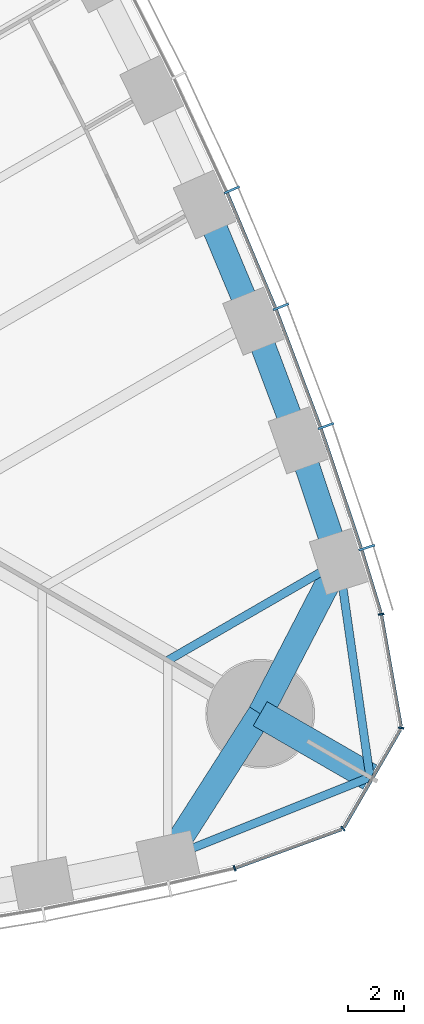
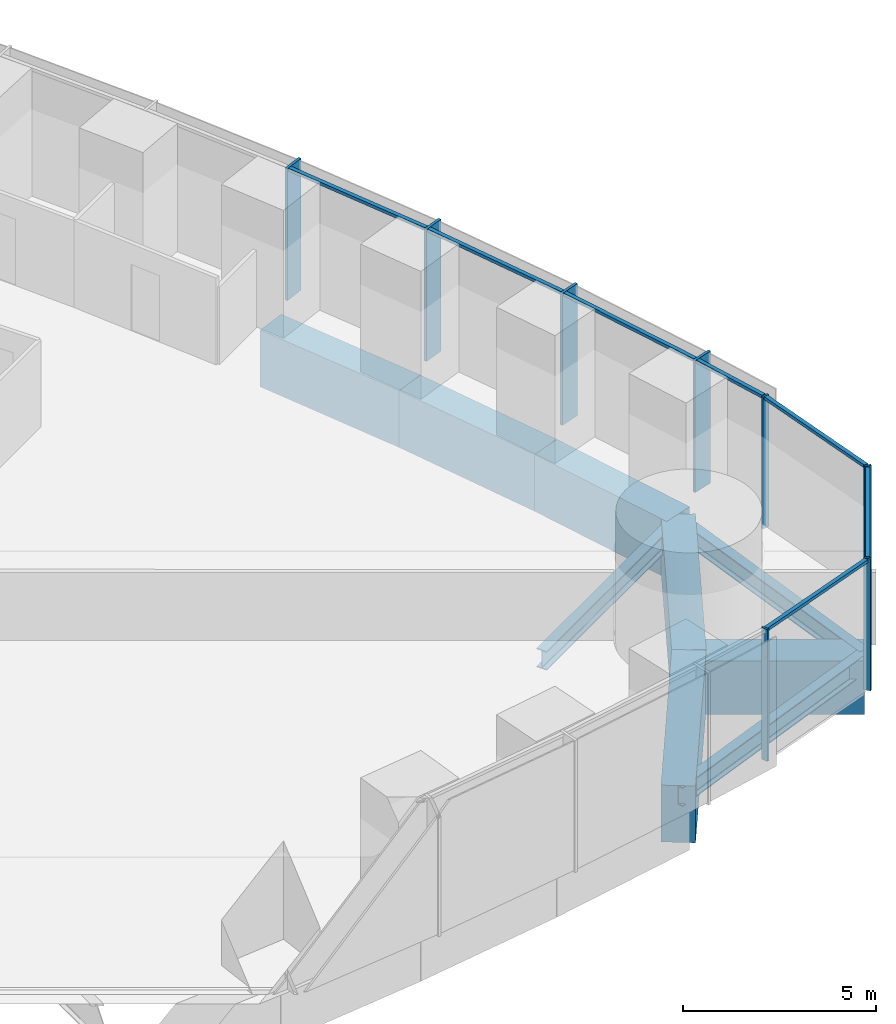
# One storey, part 7 of 18: 15 members, 9 beams, 2 elements without a shape of their own.
"""IFC4 building model written with IfcOpenShell, lengths in metres."""

from ifc_helpers import new_model, si_unit, direction, frame, origin, origin_2d, place, context, subcontext, project, spatial, rectangle, i_section, extrude, material, material_profile, profile_set, type_object, element, aggregate, save


model = new_model("IFC4")

# Units and contexts
model_context = context("Model", 3, precision=1e-05, world=origin(), true_north=direction((0.0, 1.0)))
body_context = subcontext(model_context, "Body", "Model", "MODEL_VIEW")
ifc_project = project(units=[si_unit("LENGTHUNIT", "METRE"), si_unit("AREAUNIT", "SQUARE_METRE"), si_unit("VOLUMEUNIT", "CUBIC_METRE"), si_unit("PLANEANGLEUNIT", "RADIAN"), si_unit("MASSUNIT", "GRAM", prefix="KILO")], contexts=[model_context])

# Site, building, storey
site_placement = place(None, origin())
site = spatial("IfcSite", under=ifc_project, at=site_placement, CompositionType="ELEMENT")
building_placement = place(site_placement, origin())
building = spatial("IfcBuilding", under=site, at=building_placement, Name="Trefoil Bronze Tower", CompositionType="ELEMENT")
storey_placement = place(building_placement, frame((0.0, 0.0, 157.699951171875)))
storey = spatial("IfcBuildingStorey", under=building, at=storey_placement, Name="L36", CompositionType="ELEMENT", Elevation=157.699951171875)

# Curtain wall, members
ifc_material_1 = material(Name="Tinted solar-control glass", Category="glass")
curtain_wall_type_1 = type_object("IfcCurtainWallType", Name="Bronze office curtain wall", PredefinedType="USERDEFINED", material=ifc_material_1)
curtain_wall_1_placement = place(storey_placement, origin())
curtain_wall_1 = element("IfcCurtainWall", 1, at=curtain_wall_1_placement, inside=storey, type_object=curtain_wall_type_1, Name="CW-A L36 F2", ObjectType="CURTAIN WALL", PredefinedType="USERDEFINED")
ifc_material_2 = material(Name="Bronze-finish aluminium", Category="aluminium")
ifc_material_profile_1 = material_profile(ifc_material_2, rectangle(XDim=0.60009765625, YDim=0.080078125, at=origin_2d()), Name="CW-A mullion")
ifc_profile_set_1 = profile_set([ifc_material_profile_1], Name="Bronze-finish aluminium")
member_type_1 = type_object("IfcMemberType", Name="Bronze office curtain wall mullion", PredefinedType="MULLION", material=ifc_profile_set_1)
member_1_placement = place(storey_placement, frame((34.1337890625, -11.543212890625, 0.0), z_axis=(0.0, 0.0, 1.0), x_axis=(-0.952331125357, -0.30506626768, 0.0)))
member_1 = element("IfcMember", 2, at=member_1_placement, type_object=member_type_1, Name="CW-A L36 F2 mullion 2", PredefinedType="MULLION", context=body_context, shape_type="SweptSolid", body=[
    extrude(rectangle(XDim=0.60009765625, YDim=0.080078125, at=origin_2d()), origin(), (0.0, 0.0, 1.0), 4.179931640625),
])
member_2_placement = place(storey_placement, frame((32.668701171875, -7.181884765625, 0.0), z_axis=(0.0, 0.0, 1.0), x_axis=(-0.94196250502, -0.335718094742, 0.0)))
member_2 = element("IfcMember", 3, at=member_2_placement, type_object=member_type_1, Name="CW-A L36 F2 mullion 3", PredefinedType="MULLION", context=body_context, shape_type="SweptSolid", body=[
    extrude(rectangle(XDim=0.60009765625, YDim=0.080078125, at=origin_2d()), origin(), (0.0, 0.0, 1.0), 4.179931640625),
])
member_3_placement = place(storey_placement, frame((31.055419921875, -2.90478515625, 0.0), z_axis=(0.0, 0.0, 1.0), x_axis=(-0.929071242848, -0.369900832269, 0.0)))
member_3 = element("IfcMember", 4, at=member_3_placement, type_object=member_type_1, Name="CW-A L36 F2 mullion 4", PredefinedType="MULLION", context=body_context, shape_type="SweptSolid", body=[
    extrude(rectangle(XDim=0.60009765625, YDim=0.080078125, at=origin_2d()), origin(), (0.0, 0.0, 1.0), 4.179931640625),
])
member_4_placement = place(storey_placement, frame((29.296875, 1.28857421875, 0.0), z_axis=(0.0, 0.0, 1.0), x_axis=(-0.915018269914, -0.40341240155, 0.0)))
member_4 = element("IfcMember", 5, at=member_4_placement, type_object=member_type_1, Name="CW-A L36 F2 mullion 5", PredefinedType="MULLION", context=body_context, shape_type="SweptSolid", body=[
    extrude(rectangle(XDim=0.60009765625, YDim=0.080078125, at=origin_2d()), origin(), (0.0, 0.0, 1.0), 4.179931640625),
])
ifc_material_3 = material(Name="Bronze-finish aluminium", Category="aluminium")
ifc_material_profile_2 = material_profile(ifc_material_3, rectangle(XDim=0.1201171875, YDim=0.10009765625, at=origin_2d()), Name="CW-A transom")
ifc_profile_set_2 = profile_set([ifc_material_profile_2], Name="Bronze-finish aluminium")
member_type_2 = type_object("IfcMemberType", Name="Bronze office curtain wall transom", PredefinedType="USERDEFINED", material=ifc_profile_set_2)
member_5_placement = place(storey_placement, frame((34.637939453125, -13.88232421875, 4.130126953125), z_axis=(-0.291680468798, 0.956515814883, 0.0), x_axis=(-0.956515814883, -0.291680468798, 0.0)))
member_5 = element("IfcMember", 6, at=member_5_placement, type_object=member_type_2, Name="CW-A L36 F2 transom 1", ObjectType="TRANSOM", PredefinedType="USERDEFINED", context=body_context, shape_type="SweptSolid", body=[
    extrude(rectangle(XDim=0.1201171875, YDim=0.10009765625, at=origin_2d()), origin(), (0.0, 0.0, 1.0), 2.34033203125),
])
member_6_placement = place(storey_placement, frame((33.929931640625, -11.56494140625, 4.130126953125), z_axis=(-0.318386323729, 0.947961048178, 0.0), x_axis=(-0.947961048178, -0.318386323729, 0.0)))
member_6 = element("IfcMember", 7, at=member_6_placement, type_object=member_type_2, Name="CW-A L36 F2 transom 2", ObjectType="TRANSOM", PredefinedType="USERDEFINED", context=body_context, shape_type="SweptSolid", body=[
    extrude(rectangle(XDim=0.1201171875, YDim=0.10009765625, at=origin_2d()), origin(), (0.0, 0.0, 1.0), 4.51123046875),
])
member_7_placement = place(storey_placement, frame((32.465576171875, -7.2099609375, 4.130126953125), z_axis=(-0.352932154759, 0.935648916067, 0.0), x_axis=(-0.935648916067, -0.352932154759, 0.0)))
member_7 = element("IfcMember", 8, at=member_7_placement, type_object=member_type_2, Name="CW-A L36 F2 transom 3", ObjectType="TRANSOM", PredefinedType="USERDEFINED", context=body_context, shape_type="SweptSolid", body=[
    extrude(rectangle(XDim=0.1201171875, YDim=0.10009765625, at=origin_2d()), origin(), (0.0, 0.0, 1.0), 4.48046875),
])
member_8_placement = place(storey_placement, frame((30.853515625, -2.940185546875, 4.130126953125), z_axis=(-0.386773266184, 0.922174842731, 0.0), x_axis=(-0.922174842731, -0.386773266184, 0.0)))
member_8 = element("IfcMember", 9, at=member_8_placement, type_object=member_type_2, Name="CW-A L36 F2 transom 4", ObjectType="TRANSOM", PredefinedType="USERDEFINED", context=body_context, shape_type="SweptSolid", body=[
    extrude(rectangle(XDim=0.1201171875, YDim=0.10009765625, at=origin_2d()), origin(), (0.0, 0.0, 1.0), 4.45654296875),
])
aggregate(curtain_wall_1, [member_1, member_2, member_3, member_4, member_5, member_6, member_7, member_8])

ifc_material_4 = material(Name="Tinted solar-control glass", Category="glass")
curtain_wall_type_2 = type_object("IfcCurtainWallType", Name="Bronze rounded corner curtain wall", PredefinedType="USERDEFINED", material=ifc_material_4)
curtain_wall_2_placement = place(storey_placement, origin())
curtain_wall_2 = element("IfcCurtainWall", 10, at=curtain_wall_2_placement, inside=storey, type_object=curtain_wall_type_2, Name="CW-B L36 K1", ObjectType="CURTAIN WALL", PredefinedType="USERDEFINED")
ifc_material_5 = material(Name="Bronze-finish aluminium", Category="aluminium")
ifc_material_profile_3 = material_profile(ifc_material_5, rectangle(XDim=0.199951171875, YDim=0.06005859375, at=origin_2d()), Name="CW-B mullion")
ifc_profile_set_3 = profile_set([ifc_material_profile_3], Name="Bronze-finish aluminium")
member_type_3 = type_object("IfcMemberType", Name="Bronze rounded corner curtain wall mullion", PredefinedType="MULLION", material=ifc_profile_set_3)
member_9_placement = place(storey_placement, frame((29.391845703125, -23.043701171875, 0.0), z_axis=(0.0, 0.0, 1.0), x_axis=(-0.342020143326, 0.939692620786, 0.0)))
member_9 = element("IfcMember", 11, at=member_9_placement, type_object=member_type_3, Name="CW-B L36 K1 mullion 1", PredefinedType="MULLION", context=body_context, shape_type="SweptSolid", body=[
    extrude(rectangle(XDim=0.199951171875, YDim=0.06005859375, at=origin_2d()), origin(), (0.0, 0.0, 1.0), 4.179931640625),
])
member_10_placement = place(storey_placement, frame((33.27880859375, -21.62255859375, 0.0), z_axis=(0.0, 0.0, 1.0), x_axis=(-0.642787609687, 0.766044443119, 0.0)))
member_10 = element("IfcMember", 12, at=member_10_placement, type_object=member_type_3, Name="CW-B L36 K1 mullion 2", PredefinedType="MULLION", context=body_context, shape_type="SweptSolid", body=[
    extrude(rectangle(XDim=0.199951171875, YDim=0.06005859375, at=origin_2d()), origin(), (0.0, 0.0, 1.0), 4.179931640625),
])
member_11_placement = place(storey_placement, frame((35.364990234375, -18.009033203125, 0.0), z_axis=(0.0, 0.0, 1.0), x_axis=(-0.984807753012, 0.173648177667, 0.0)))
member_11 = element("IfcMember", 13, at=member_11_placement, type_object=member_type_3, Name="CW-B L36 K1 mullion 3", PredefinedType="MULLION", context=body_context, shape_type="SweptSolid", body=[
    extrude(rectangle(XDim=0.199951171875, YDim=0.06005859375, at=origin_2d()), origin(), (0.0, 0.0, 1.0), 4.179931640625),
])
member_12_placement = place(storey_placement, frame((34.65234375, -13.932373046875, 0.0), z_axis=(0.0, 0.0, 1.0), x_axis=(-0.984807753012, -0.173648177667, 0.0)))
member_12 = element("IfcMember", 14, at=member_12_placement, type_object=member_type_3, Name="CW-B L36 K1 mullion 4", PredefinedType="MULLION", context=body_context, shape_type="SweptSolid", body=[
    extrude(rectangle(XDim=0.199951171875, YDim=0.06005859375, at=origin_2d()), origin(), (0.0, 0.0, 1.0), 4.179931640625),
])
ifc_material_6 = material(Name="Bronze-finish aluminium", Category="aluminium")
ifc_material_profile_4 = material_profile(ifc_material_6, rectangle(XDim=0.1201171875, YDim=0.10009765625, at=origin_2d()), Name="CW-B transom")
ifc_profile_set_4 = profile_set([ifc_material_profile_4], Name="Bronze-finish aluminium")
member_type_4 = type_object("IfcMemberType", Name="Bronze rounded corner curtain wall transom", PredefinedType="USERDEFINED", material=ifc_profile_set_4)
member_13_placement = place(storey_placement, frame((29.420166015625, -23.033447265625, 4.130126953125), z_axis=(0.939684096629, 0.342043562347, 0.0), x_axis=(-0.342043562347, 0.939684096629, 0.0)))
member_13 = element("IfcMember", 15, at=member_13_placement, type_object=member_type_4, Name="CW-B L36 K1 transom 1", ObjectType="TRANSOM", PredefinedType="USERDEFINED", context=body_context, shape_type="SweptSolid", body=[
    extrude(rectangle(XDim=0.1201171875, YDim=0.10009765625, at=origin_2d()), origin(), (0.0, 0.0, 1.0), 4.044189453125),
])
member_14_placement = place(storey_placement, frame((33.31591796875, -21.570068359375, 4.130126953125), z_axis=(0.500015078168, 0.866016698225, 0.0), x_axis=(-0.866016698225, 0.500015078168, 0.0)))
member_14 = element("IfcMember", 16, at=member_14_placement, type_object=member_type_4, Name="CW-B L36 K1 transom 2", ObjectType="TRANSOM", PredefinedType="USERDEFINED", context=body_context, shape_type="SweptSolid", body=[
    extrude(rectangle(XDim=0.1201171875, YDim=0.10009765625, at=origin_2d()), origin(), (0.0, 0.0, 1.0), 4.04443359375),
])
member_15_placement = place(storey_placement, frame((35.35986328125, -17.944580078125, 4.130126953125), z_axis=(-0.173682016639, 0.984801785689, 0.0), x_axis=(-0.984801785689, -0.173682016639, 0.0)))
member_15 = element("IfcMember", 17, at=member_15_placement, type_object=member_type_4, Name="CW-B L36 K1 transom 3", ObjectType="TRANSOM", PredefinedType="USERDEFINED", context=body_context, shape_type="SweptSolid", body=[
    extrude(rectangle(XDim=0.1201171875, YDim=0.10009765625, at=origin_2d()), origin(), (0.0, 0.0, 1.0), 4.044189453125),
])
aggregate(curtain_wall_2, [member_9, member_10, member_11, member_12, member_13, member_14, member_15])

# Beams
ifc_material_7 = material(Name="Concrete B80", Category="concrete")
ifc_material_profile_5 = material_profile(ifc_material_7, rectangle(XDim=1.0, YDim=1.699951171875, at=origin_2d()), Name="RC 1000x1700")
ifc_profile_set_5 = profile_set([ifc_material_profile_5], Name="Concrete B80")
beam_type_1 = type_object("IfcBeamType", Name="Corner cantilever RC 1000x1700", PredefinedType="BEAM", material=ifc_profile_set_5)
beam_1_placement = place(storey_placement, frame((30.310791015625, -17.5, -1.050048828125), z_axis=(0.866031878637, -0.499988785058, 0.0), x_axis=(0.499988785058, 0.866031878637, 0.0)))
element("IfcBeam", 18, at=beam_1_placement, inside=storey, type_object=beam_type_1, Name="Corner cantilever K1 L36", PredefinedType="BEAM", context=body_context, shape_type="SweptSolid", body=[
    extrude(rectangle(XDim=1.0, YDim=1.699951171875, at=origin_2d()), origin(), (0.0, 0.0, 1.0), 4.54931640625),
])
ifc_material_8 = material(Name="Steel C355", Category="steel")
ifc_material_profile_6 = material_profile(ifc_material_8, i_section(OverallWidth=0.300048828125, OverallDepth=0.60009765625, WebThickness=0.015380859375, FlangeThickness=0.030029296875, FilletRadius=0.027099609375, at=origin_2d()), Name="HEB 600")
ifc_profile_set_6 = profile_set([ifc_material_profile_6], Name="Steel C355")
beam_type_2 = type_object("IfcBeamType", Name="Corner edge beam HEB 600", PredefinedType="BEAM", material=ifc_profile_set_6)
for number, where, z_axis, x_axis, name in (
    (19, (27.0, -22.67724609375, -0.5), (0.928375332495, 0.371643972122, 0.0), (-0.371643972122, 0.928375332495, 0.0), "Corner edge beam F1A L36"),
    (20, (33.13916015625, -12.044189453125, -0.5), (0.142327214588, -0.989819662357, 0.0), (0.989819662357, 0.142327214588, 0.0), "Corner edge beam F2B L36"),
):
    element("IfcBeam", number, at=place(storey_placement, frame(where, z_axis=z_axis, x_axis=x_axis)), inside=storey, type_object=beam_type_2, Name=name, PredefinedType="BEAM", context=body_context, shape_type="SweptSolid", body=[
        extrude(i_section(OverallWidth=0.300048828125, OverallDepth=0.60009765625, WebThickness=0.015380859375, FlangeThickness=0.030029296875, FilletRadius=0.027099609375, at=origin_2d()), origin(), (0.0, 0.0, 1.0), 7.81005859375),
    ])
ifc_material_9 = material(Name="Concrete B80", Category="concrete")
ifc_material_profile_7 = material_profile(ifc_material_9, rectangle(XDim=0.89990234375, YDim=1.800048828125, at=origin_2d()), Name="RC 900x1800")
ifc_profile_set_7 = profile_set([ifc_material_profile_7], Name="Concrete B80")
beam_type_3 = type_object("IfcBeamType", Name="End spandrel beam RC 900x1800", PredefinedType="SPANDREL", material=ifc_profile_set_7)
for number, where, z_axis, x_axis, name in (
    (21, (27.0, -22.67724609375, -1.099853515625), (0.53874814953, 0.84246687257, 0.0), (-0.84246687257, 0.53874814953, 0.0), "Spandrel F1.14 L36"),
    (22, (30.310791015625, -17.5, -1.099853515625), (0.460244107083, 0.887792409235, 0.0), (-0.887792409235, 0.460244107083, 0.0), "Spandrel F2.1 L36"),
):
    element("IfcBeam", number, at=place(storey_placement, frame(where, z_axis=z_axis, x_axis=x_axis)), inside=storey, type_object=beam_type_3, Name=name, PredefinedType="SPANDREL", context=body_context, shape_type="SweptSolid", body=[
        extrude(rectangle(XDim=0.89990234375, YDim=1.800048828125, at=origin_2d()), origin(), (0.0, 0.0, 1.0), 6.145263671875),
    ])
ifc_material_10 = material(Name="Steel C355", Category="steel")
ifc_material_profile_8 = material_profile(ifc_material_10, i_section(OverallWidth=0.300048828125, OverallDepth=0.60009765625, WebThickness=0.015380859375, FlangeThickness=0.030029296875, FilletRadius=0.027099609375, at=origin_2d()), Name="HEB 600")
ifc_profile_set_8 = profile_set([ifc_material_profile_8], Name="Steel C355")
beam_type_4 = type_object("IfcBeamType", Name="Floor beam HEB 600", PredefinedType="BEAM", material=ifc_profile_set_8)
beam_2_placement = place(storey_placement, frame((33.13916015625, -12.044189453125, -0.5), z_axis=(-0.866041060244, -0.499972881236, 0.0), x_axis=(0.499972881236, -0.866041060244, 0.0)))
element("IfcBeam", 23, at=beam_2_placement, inside=storey, type_object=beam_type_4, Name="Floor beam F2/-6 L36", PredefinedType="BEAM", context=body_context, shape_type="SweptSolid", body=[
    extrude(i_section(OverallWidth=0.300048828125, OverallDepth=0.60009765625, WebThickness=0.015380859375, FlangeThickness=0.030029296875, FilletRadius=0.027099609375, at=origin_2d()), origin(), (0.0, 0.0, 1.0), 7.0888671875),
])
ifc_material_11 = material(Name="Concrete B80", Category="concrete")
ifc_material_profile_9 = material_profile(ifc_material_11, rectangle(XDim=0.89990234375, YDim=1.800048828125, at=origin_2d()), Name="RC 900x1800")
ifc_profile_set_9 = profile_set([ifc_material_profile_9], Name="Concrete B80")
beam_type_5 = type_object("IfcBeamType", Name="Spandrel beam RC 900x1800", PredefinedType="SPANDREL", material=ifc_profile_set_9)
beam_3_placement = place(storey_placement, frame((33.13916015625, -12.044189453125, -1.099853515625), z_axis=(-0.31732802068, 0.948315837309, 0.0), x_axis=(-0.948315837309, -0.31732802068, 0.0)))
element("IfcBeam", 24, at=beam_3_placement, inside=storey, type_object=beam_type_5, Name="Spandrel F2.2 L36", PredefinedType="SPANDREL", context=body_context, shape_type="SweptSolid", body=[
    extrude(rectangle(XDim=0.89990234375, YDim=1.800048828125, at=origin_2d()), origin(), (0.0, 0.0, 1.0), 4.59228515625),
])
beam_4_placement = place(storey_placement, frame((31.681884765625, -7.689208984375, -1.099853515625), z_axis=(-0.351938675523, 0.936023059904, 0.0), x_axis=(-0.936023059904, -0.351938675523, 0.0)))
element("IfcBeam", 25, at=beam_4_placement, inside=storey, type_object=beam_type_5, Name="Spandrel F2.3 L36", PredefinedType="SPANDREL", context=body_context, shape_type="SweptSolid", body=[
    extrude(rectangle(XDim=0.89990234375, YDim=1.800048828125, at=origin_2d()), origin(), (0.0, 0.0, 1.0), 4.56103515625),
])
beam_5_placement = place(storey_placement, frame((30.07666015625, -3.419921875, -1.099853515625), z_axis=(-0.386013490858, 0.922493135408, 0.0), x_axis=(-0.922493135408, -0.386013490858, 0.0)))
element("IfcBeam", 26, at=beam_5_placement, inside=storey, type_object=beam_type_5, Name="Spandrel F2.4 L36", PredefinedType="SPANDREL", context=body_context, shape_type="SweptSolid", body=[
    extrude(rectangle(XDim=0.89990234375, YDim=1.800048828125, at=origin_2d()), origin(), (0.0, 0.0, 1.0), 4.53662109375),
])

save(model, "model.ifc")
